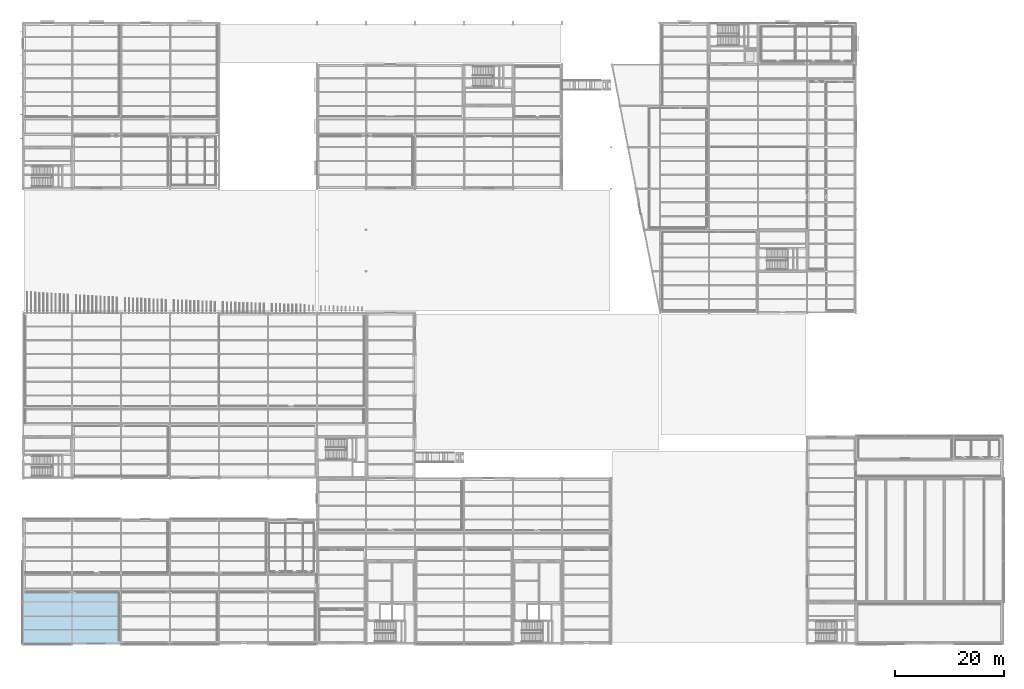
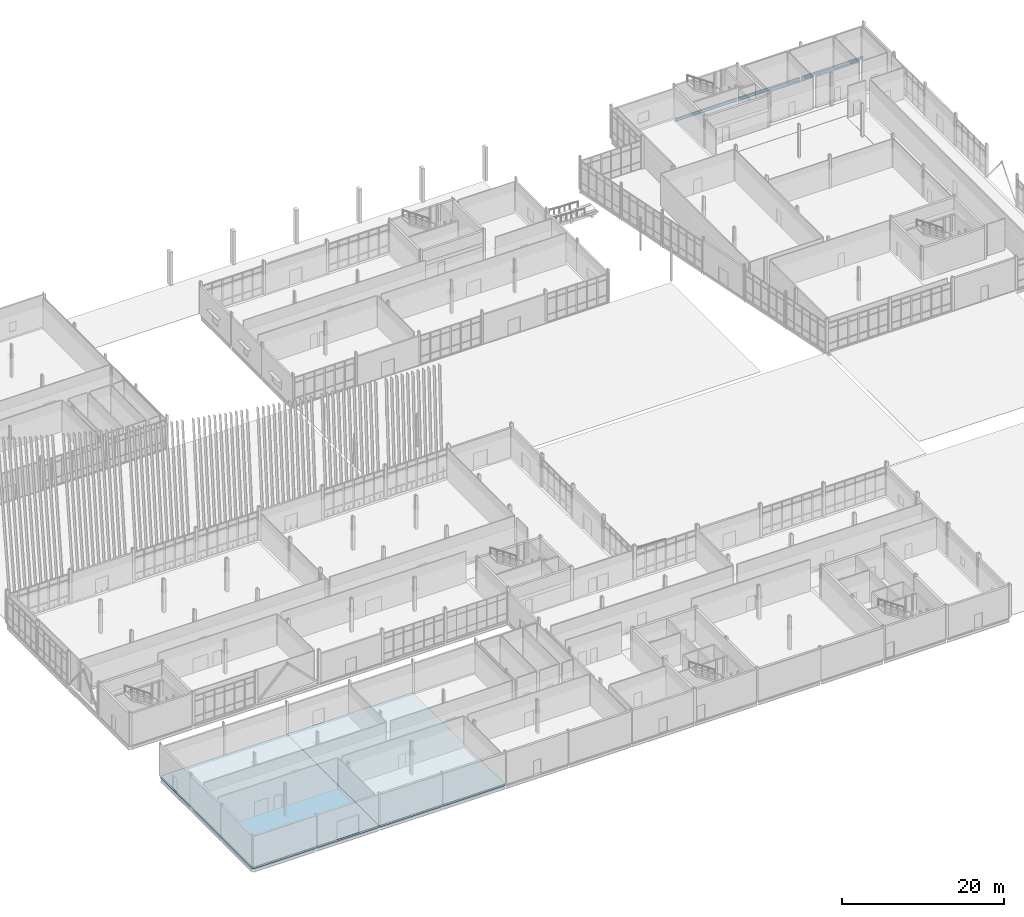
# One storey, part 120 of 161: 3 beams, 2 slabs.
"""IFC4 building model written with IfcOpenShell, lengths in metres."""

from ifc_helpers import new_model, si_unit, direction, frame, origin, origin_2d, place, context, subcontext, project, spatial, polyline, i_section, outline, extrude, material, layer, layer_set, material_profile, profile_set, type_object, element, save


model = new_model("IFC4")

# Units and contexts
model_context = context("Model", 3, precision=1e-05, world=origin(), true_north=direction((0.0, 1.0)))
body_context = subcontext(model_context, "Body", "Model", "MODEL_VIEW")
ifc_project = project(units=[si_unit("LENGTHUNIT", "METRE"), si_unit("AREAUNIT", "SQUARE_METRE"), si_unit("VOLUMEUNIT", "CUBIC_METRE"), si_unit("PLANEANGLEUNIT", "RADIAN"), si_unit("MASSUNIT", "GRAM", prefix="KILO")], contexts=[model_context])

# Site, building, storey
site_placement = place(None, origin())
site = spatial("IfcSite", under=ifc_project, at=site_placement, CompositionType="ELEMENT")
building_placement = place(site_placement, origin())
building = spatial("IfcBuilding", under=site, at=building_placement, Name="Caisbarro Railhouse Central Library", CompositionType="ELEMENT")
storey_placement = place(building_placement, origin())
storey = spatial("IfcBuildingStorey", under=building, at=storey_placement, Name="L00", CompositionType="ELEMENT", Elevation=0.0)

# Beams
ifc_material_1 = material(Name="Steel ASTM A572 Grade 50", Category="steel")
ifc_material_profile = material_profile(ifc_material_1, i_section(OverallWidth=0.18994140625, OverallDepth=0.45703125, WebThickness=0.009033203125, FlangeThickness=0.014404296875, FilletRadius=0.01806640625, at=origin_2d()), Name="W460X74.0")
ifc_profile_set = profile_set([ifc_material_profile], Name="Steel ASTM A572 Grade 50")
beam_type = type_object("IfcBeamType", Name="BM-SP01", PredefinedType="SPANDREL", material=ifc_profile_set)
for number, where, z_axis, x_axis, name in (
    (1, (126.080078125, 114.0, -0.478515625), (1.0, 0.0, 0.0), (0.0, 1.0, 0.0), "SP01 beam L00 #519"),
    (2, (135.080078125, 114.0, -0.478515625), (1.0, 0.0, 0.0), (0.0, 1.0, 0.0), "SP01 beam L00 #520"),
    (3, (144.080078125, 114.0, -0.478515625), (1.0, 0.0, 0.0), (0.0, 1.0, 0.0), "SP01 beam L00 #521"),
):
    element("IfcBeam", number, at=place(storey_placement, frame(where, z_axis=z_axis, x_axis=x_axis)), inside=storey, type_object=beam_type, Name=name, PredefinedType="SPANDREL", context=body_context, shape_type="SweptSolid", body=[
        extrude(i_section(OverallWidth=0.18994140625, OverallDepth=0.45703125, WebThickness=0.009033203125, FlangeThickness=0.014404296875, FilletRadius=0.01806640625, at=origin_2d()), origin(), (0.0, 0.0, 1.0), 8.83984375),
    ])

# Slabs
ifc_material_2 = material(Name="Concrete C35", Category="concrete")
ifc_layer = layer(ifc_material_2, 0.280029296875, Name="Concrete C35")
ifc_layer_set = layer_set([ifc_layer], Name="Concrete C35")
slab_type = type_object("IfcSlabType", Name="SLB-BS28", PredefinedType="BASESLAB", material=ifc_layer_set)
slab_1_placement = place(storey_placement, frame((0.0, 0.0, -0.280029296875)))
element("IfcSlab", 4, at=slab_1_placement, inside=storey, type_object=slab_type, Name="SB28 structural slab L00 V5W.1", PredefinedType="BASESLAB", context=body_context, shape_type="SweptSolid", body=[
    extrude(outline(polyline([(0.0, 0.0), (18.0, 0.0), (18.0, 22.800048828125), (0.0, 22.800048828125), (0.0, 0.0)])), origin(), (0.0, 0.0, 1.0), 0.280029296875),
])
slab_2_placement = place(storey_placement, frame((0.0, 0.0, -0.280029296875)))
element("IfcSlab", 5, at=slab_2_placement, inside=storey, type_object=slab_type, Name="SB28 structural slab L00 V5W.2", PredefinedType="BASESLAB", context=body_context, shape_type="SweptSolid", body=[
    extrude(outline(polyline([(18.0, 0.0), (36.0, 0.0), (36.0, 22.800048828125), (18.0, 22.800048828125), (18.0, 0.0)])), origin(), (0.0, 0.0, 1.0), 0.280029296875),
])

save(model, "model.ifc")
